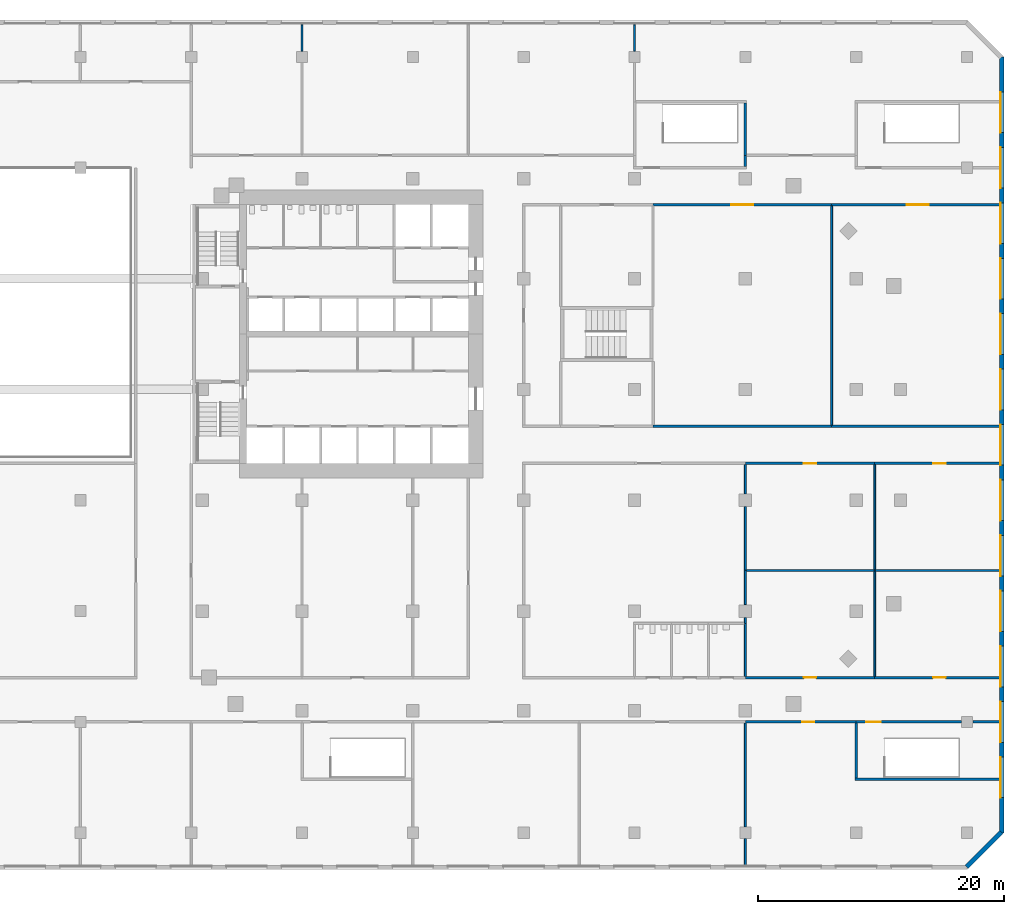
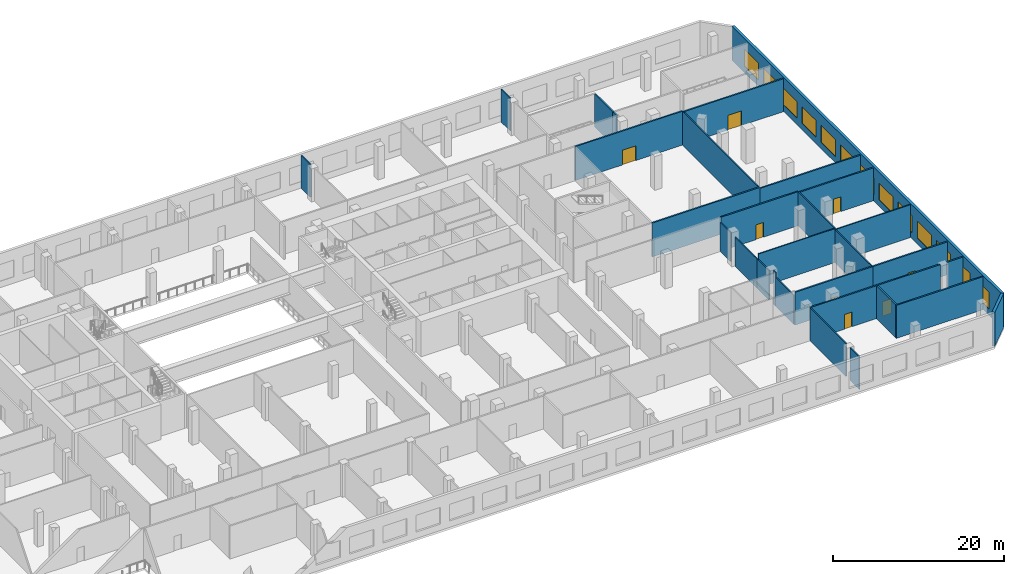
# One storey, part 14 of 20: 31 walls, 13 windows, 8 doors, 21 openings.
"""IFC4 building model written with IfcOpenShell, lengths in metres."""

from ifc_helpers import new_model, si_unit, direction, frame, frame_2d, origin, place, context, subcontext, project, spatial, rectangle, extrude, material, layer, layer_set, type_object, element, fill, save


model = new_model("IFC4")

# Units and contexts
model_context = context("Model", 3, precision=1e-05, world=origin(), true_north=direction((0.0, 1.0)))
body_context = subcontext(model_context, "Body", "Model", "MODEL_VIEW")
ifc_project = project(units=[si_unit("LENGTHUNIT", "METRE"), si_unit("AREAUNIT", "SQUARE_METRE"), si_unit("VOLUMEUNIT", "CUBIC_METRE"), si_unit("PLANEANGLEUNIT", "RADIAN"), si_unit("MASSUNIT", "GRAM", prefix="KILO")], contexts=[model_context])

# Site, building, storey
site_placement = place(None, origin())
site = spatial("IfcSite", under=ifc_project, at=site_placement, CompositionType="ELEMENT")
building_placement = place(site_placement, origin())
building = spatial("IfcBuilding", under=site, at=building_placement, Name="Cinnabar Reach Civic Tower", CompositionType="ELEMENT")
storey_placement = place(building_placement, frame((0.0, 0.0, 21.0)))
storey = spatial("IfcBuildingStorey", under=building, at=storey_placement, Name="L04", CompositionType="ELEMENT", Elevation=21.0)

# Wall
ifc_material_1 = material(Name="Facing brick with insulated backing", Category="masonry")
ifc_layer_1 = layer(ifc_material_1, 0.36)
ifc_layer_set_1 = layer_set([ifc_layer_1], Name="Brick corner wall")
wall_type_1 = type_object("IfcWallType", Name="Brick corner wall", PredefinedType="STANDARD", material=ifc_layer_set_1)
wall_1_placement = place(storey_placement, frame((62.9611, -11.7843, 0.0), z_axis=(0.0, 0.0, 1.0), x_axis=(0.707106781187, 0.707106781187, 0.0)))
element("IfcWall", 1, at=wall_1_placement, inside=storey, type_object=wall_type_1, Name="Brick corner wall", PredefinedType="STANDARD", context=body_context, shape_type="SweptSolid", body=[
    extrude(rectangle(XDim=3.9926, YDim=0.36, at=frame_2d((1.9963, 0.0))), origin(), (0.0, 0.0, 1.0), 4.85),
])

# Wall, openings, windows
ifc_layer_2 = layer(ifc_material_1, 0.36)
ifc_layer_set_2 = layer_set([ifc_layer_2], Name="Brick pier and spandrel wall")
wall_type_2 = type_object("IfcWallType", Name="Brick pier and spandrel wall", PredefinedType="STANDARD", material=ifc_layer_set_2)
wall_2_placement = place(storey_placement, frame((65.82, -9.0, 0.0), z_axis=(0.0, 0.0, 1.0), x_axis=(0.0, 1.0, 0.0)))
wall_2 = element("IfcWall", 2, at=wall_2_placement, inside=storey, type_object=wall_type_2, Name="Brick facade wall", PredefinedType="STANDARD", context=body_context, shape_type="SweptSolid", body=[
    extrude(rectangle(XDim=63.0, YDim=0.36, at=frame_2d((31.5, 0.0))), origin(), (0.0, 0.0, 1.0), 4.85),
])
opening_1_placement = place(wall_2_placement, frame((2.85, 0.0, 0.9)))
opening_1 = element("IfcOpeningElement", 3, at=opening_1_placement, cuts=wall_2, Name="Opening W3125", PredefinedType="OPENING", context=body_context, shape_type="SweptSolid", body=[
    extrude(rectangle(XDim=3.3, YDim=2.4, at=frame_2d((1.65, 1.2))), frame((0.0, 0.19, 0.0), z_axis=(0.0, -1.0, 0.0), x_axis=(1.0, 0.0, 0.0)), (0.0, 0.0, 1.0), 0.38),
])
opening_2_placement = place(wall_2_placement, frame((7.35, 0.0, 0.9)))
opening_2 = element("IfcOpeningElement", 4, at=opening_2_placement, cuts=wall_2, Name="Opening W3126", PredefinedType="OPENING", context=body_context, shape_type="SweptSolid", body=[
    extrude(rectangle(XDim=3.3, YDim=2.4, at=frame_2d((1.65, 1.2))), frame((0.0, 0.19, 0.0), z_axis=(0.0, -1.0, 0.0), x_axis=(1.0, 0.0, 0.0)), (0.0, 0.0, 1.0), 0.38),
])
opening_3_placement = place(wall_2_placement, frame((11.85, 0.0, 0.9)))
opening_3 = element("IfcOpeningElement", 5, at=opening_3_placement, cuts=wall_2, Name="Opening W3127", PredefinedType="OPENING", context=body_context, shape_type="SweptSolid", body=[
    extrude(rectangle(XDim=3.3, YDim=2.4, at=frame_2d((1.65, 1.2))), frame((0.0, 0.19, 0.0), z_axis=(0.0, -1.0, 0.0), x_axis=(1.0, 0.0, 0.0)), (0.0, 0.0, 1.0), 0.38),
])
opening_4_placement = place(wall_2_placement, frame((16.35, 0.0, 0.9)))
opening_4 = element("IfcOpeningElement", 6, at=opening_4_placement, cuts=wall_2, Name="Opening W3128", PredefinedType="OPENING", context=body_context, shape_type="SweptSolid", body=[
    extrude(rectangle(XDim=3.3, YDim=2.4, at=frame_2d((1.65, 1.2))), frame((0.0, 0.19, 0.0), z_axis=(0.0, -1.0, 0.0), x_axis=(1.0, 0.0, 0.0)), (0.0, 0.0, 1.0), 0.38),
])
opening_5_placement = place(wall_2_placement, frame((20.85, 0.0, 0.9)))
opening_5 = element("IfcOpeningElement", 7, at=opening_5_placement, cuts=wall_2, Name="Opening W3129", PredefinedType="OPENING", context=body_context, shape_type="SweptSolid", body=[
    extrude(rectangle(XDim=3.3, YDim=2.4, at=frame_2d((1.65, 1.2))), frame((0.0, 0.19, 0.0), z_axis=(0.0, -1.0, 0.0), x_axis=(1.0, 0.0, 0.0)), (0.0, 0.0, 1.0), 0.38),
])
opening_6_placement = place(wall_2_placement, frame((25.35, 0.0, 0.9)))
opening_6 = element("IfcOpeningElement", 8, at=opening_6_placement, cuts=wall_2, Name="Opening W3130", PredefinedType="OPENING", context=body_context, shape_type="SweptSolid", body=[
    extrude(rectangle(XDim=3.3, YDim=2.4, at=frame_2d((1.65, 1.2))), frame((0.0, 0.19, 0.0), z_axis=(0.0, -1.0, 0.0), x_axis=(1.0, 0.0, 0.0)), (0.0, 0.0, 1.0), 0.38),
])
opening_7_placement = place(wall_2_placement, frame((29.85, 0.0, 0.9)))
opening_7 = element("IfcOpeningElement", 9, at=opening_7_placement, cuts=wall_2, Name="Opening W3131", PredefinedType="OPENING", context=body_context, shape_type="SweptSolid", body=[
    extrude(rectangle(XDim=3.3, YDim=2.4, at=frame_2d((1.65, 1.2))), frame((0.0, 0.19, 0.0), z_axis=(0.0, -1.0, 0.0), x_axis=(1.0, 0.0, 0.0)), (0.0, 0.0, 1.0), 0.38),
])
opening_8_placement = place(wall_2_placement, frame((34.35, 0.0, 0.9)))
opening_8 = element("IfcOpeningElement", 10, at=opening_8_placement, cuts=wall_2, Name="Opening W3132", PredefinedType="OPENING", context=body_context, shape_type="SweptSolid", body=[
    extrude(rectangle(XDim=3.3, YDim=2.4, at=frame_2d((1.65, 1.2))), frame((0.0, 0.19, 0.0), z_axis=(0.0, -1.0, 0.0), x_axis=(1.0, 0.0, 0.0)), (0.0, 0.0, 1.0), 0.38),
])
opening_9_placement = place(wall_2_placement, frame((38.85, 0.0, 0.9)))
opening_9 = element("IfcOpeningElement", 11, at=opening_9_placement, cuts=wall_2, Name="Opening W3133", PredefinedType="OPENING", context=body_context, shape_type="SweptSolid", body=[
    extrude(rectangle(XDim=3.3, YDim=2.4, at=frame_2d((1.65, 1.2))), frame((0.0, 0.19, 0.0), z_axis=(0.0, -1.0, 0.0), x_axis=(1.0, 0.0, 0.0)), (0.0, 0.0, 1.0), 0.38),
])
opening_10_placement = place(wall_2_placement, frame((43.35, 0.0, 0.9)))
opening_10 = element("IfcOpeningElement", 12, at=opening_10_placement, cuts=wall_2, Name="Opening W3134", PredefinedType="OPENING", context=body_context, shape_type="SweptSolid", body=[
    extrude(rectangle(XDim=3.3, YDim=2.4, at=frame_2d((1.65, 1.2))), frame((0.0, 0.19, 0.0), z_axis=(0.0, -1.0, 0.0), x_axis=(1.0, 0.0, 0.0)), (0.0, 0.0, 1.0), 0.38),
])
opening_11_placement = place(wall_2_placement, frame((47.85, 0.0, 0.9)))
opening_11 = element("IfcOpeningElement", 13, at=opening_11_placement, cuts=wall_2, Name="Opening W3135", PredefinedType="OPENING", context=body_context, shape_type="SweptSolid", body=[
    extrude(rectangle(XDim=3.3, YDim=2.4, at=frame_2d((1.65, 1.2))), frame((0.0, 0.19, 0.0), z_axis=(0.0, -1.0, 0.0), x_axis=(1.0, 0.0, 0.0)), (0.0, 0.0, 1.0), 0.38),
])
opening_12_placement = place(wall_2_placement, frame((52.35, 0.0, 0.9)))
opening_12 = element("IfcOpeningElement", 14, at=opening_12_placement, cuts=wall_2, Name="Opening W3136", PredefinedType="OPENING", context=body_context, shape_type="SweptSolid", body=[
    extrude(rectangle(XDim=3.3, YDim=2.4, at=frame_2d((1.65, 1.2))), frame((0.0, 0.19, 0.0), z_axis=(0.0, -1.0, 0.0), x_axis=(1.0, 0.0, 0.0)), (0.0, 0.0, 1.0), 0.38),
])
opening_13_placement = place(wall_2_placement, frame((56.85, 0.0, 0.9)))
opening_13 = element("IfcOpeningElement", 15, at=opening_13_placement, cuts=wall_2, Name="Opening W3137", PredefinedType="OPENING", context=body_context, shape_type="SweptSolid", body=[
    extrude(rectangle(XDim=3.3, YDim=2.4, at=frame_2d((1.65, 1.2))), frame((0.0, 0.19, 0.0), z_axis=(0.0, -1.0, 0.0), x_axis=(1.0, 0.0, 0.0)), (0.0, 0.0, 1.0), 0.38),
])
ifc_material_2 = material(Name="Clear double glazing in aluminium frame", Category="aluminium")
window_type = type_object("IfcWindowType", Name="Podium window P", PartitioningType="SINGLE_PANEL", PredefinedType="WINDOW", material=ifc_material_2)
window_1_placement = place(opening_1_placement, origin())
window_1 = element("IfcWindow", 16, at=window_1_placement, inside=storey, type_object=window_type, Name="Window east face", OverallHeight=2.4, OverallWidth=3.3, PartitioningType="SINGLE_PANEL", PredefinedType="WINDOW", context=body_context, shape_type="SweptSolid", body=[
    extrude(rectangle(XDim=3.3, YDim=2.4, at=frame_2d((1.65, 1.2))), frame((0.0, 0.13, 0.0), z_axis=(0.0, -1.0, 0.0), x_axis=(1.0, 0.0, 0.0)), (0.0, 0.0, 1.0), 0.06),
])
fill(opening_1, window_1)
window_2_placement = place(opening_2_placement, origin())
window_2 = element("IfcWindow", 17, at=window_2_placement, inside=storey, type_object=window_type, Name="Window east face", OverallHeight=2.4, OverallWidth=3.3, PartitioningType="SINGLE_PANEL", PredefinedType="WINDOW", context=body_context, shape_type="SweptSolid", body=[
    extrude(rectangle(XDim=3.3, YDim=2.4, at=frame_2d((1.65, 1.2))), frame((0.0, 0.13, 0.0), z_axis=(0.0, -1.0, 0.0), x_axis=(1.0, 0.0, 0.0)), (0.0, 0.0, 1.0), 0.06),
])
fill(opening_2, window_2)
window_3_placement = place(opening_3_placement, origin())
window_3 = element("IfcWindow", 18, at=window_3_placement, inside=storey, type_object=window_type, Name="Window east face", OverallHeight=2.4, OverallWidth=3.3, PartitioningType="SINGLE_PANEL", PredefinedType="WINDOW", context=body_context, shape_type="SweptSolid", body=[
    extrude(rectangle(XDim=3.3, YDim=2.4, at=frame_2d((1.65, 1.2))), frame((0.0, 0.13, 0.0), z_axis=(0.0, -1.0, 0.0), x_axis=(1.0, 0.0, 0.0)), (0.0, 0.0, 1.0), 0.06),
])
fill(opening_3, window_3)
window_4_placement = place(opening_4_placement, origin())
window_4 = element("IfcWindow", 19, at=window_4_placement, inside=storey, type_object=window_type, Name="Window east face", OverallHeight=2.4, OverallWidth=3.3, PartitioningType="SINGLE_PANEL", PredefinedType="WINDOW", context=body_context, shape_type="SweptSolid", body=[
    extrude(rectangle(XDim=3.3, YDim=2.4, at=frame_2d((1.65, 1.2))), frame((0.0, 0.13, 0.0), z_axis=(0.0, -1.0, 0.0), x_axis=(1.0, 0.0, 0.0)), (0.0, 0.0, 1.0), 0.06),
])
fill(opening_4, window_4)
window_5_placement = place(opening_5_placement, origin())
window_5 = element("IfcWindow", 20, at=window_5_placement, inside=storey, type_object=window_type, Name="Window east face", OverallHeight=2.4, OverallWidth=3.3, PartitioningType="SINGLE_PANEL", PredefinedType="WINDOW", context=body_context, shape_type="SweptSolid", body=[
    extrude(rectangle(XDim=3.3, YDim=2.4, at=frame_2d((1.65, 1.2))), frame((0.0, 0.13, 0.0), z_axis=(0.0, -1.0, 0.0), x_axis=(1.0, 0.0, 0.0)), (0.0, 0.0, 1.0), 0.06),
])
fill(opening_5, window_5)
window_6_placement = place(opening_6_placement, origin())
window_6 = element("IfcWindow", 21, at=window_6_placement, inside=storey, type_object=window_type, Name="Window east face", OverallHeight=2.4, OverallWidth=3.3, PartitioningType="SINGLE_PANEL", PredefinedType="WINDOW", context=body_context, shape_type="SweptSolid", body=[
    extrude(rectangle(XDim=3.3, YDim=2.4, at=frame_2d((1.65, 1.2))), frame((0.0, 0.13, 0.0), z_axis=(0.0, -1.0, 0.0), x_axis=(1.0, 0.0, 0.0)), (0.0, 0.0, 1.0), 0.06),
])
fill(opening_6, window_6)
window_7_placement = place(opening_7_placement, origin())
window_7 = element("IfcWindow", 22, at=window_7_placement, inside=storey, type_object=window_type, Name="Window east face", OverallHeight=2.4, OverallWidth=3.3, PartitioningType="SINGLE_PANEL", PredefinedType="WINDOW", context=body_context, shape_type="SweptSolid", body=[
    extrude(rectangle(XDim=3.3, YDim=2.4, at=frame_2d((1.65, 1.2))), frame((0.0, 0.13, 0.0), z_axis=(0.0, -1.0, 0.0), x_axis=(1.0, 0.0, 0.0)), (0.0, 0.0, 1.0), 0.06),
])
fill(opening_7, window_7)
window_8_placement = place(opening_8_placement, origin())
window_8 = element("IfcWindow", 23, at=window_8_placement, inside=storey, type_object=window_type, Name="Window east face", OverallHeight=2.4, OverallWidth=3.3, PartitioningType="SINGLE_PANEL", PredefinedType="WINDOW", context=body_context, shape_type="SweptSolid", body=[
    extrude(rectangle(XDim=3.3, YDim=2.4, at=frame_2d((1.65, 1.2))), frame((0.0, 0.13, 0.0), z_axis=(0.0, -1.0, 0.0), x_axis=(1.0, 0.0, 0.0)), (0.0, 0.0, 1.0), 0.06),
])
fill(opening_8, window_8)
window_9_placement = place(opening_9_placement, origin())
window_9 = element("IfcWindow", 24, at=window_9_placement, inside=storey, type_object=window_type, Name="Window east face", OverallHeight=2.4, OverallWidth=3.3, PartitioningType="SINGLE_PANEL", PredefinedType="WINDOW", context=body_context, shape_type="SweptSolid", body=[
    extrude(rectangle(XDim=3.3, YDim=2.4, at=frame_2d((1.65, 1.2))), frame((0.0, 0.13, 0.0), z_axis=(0.0, -1.0, 0.0), x_axis=(1.0, 0.0, 0.0)), (0.0, 0.0, 1.0), 0.06),
])
fill(opening_9, window_9)
window_10_placement = place(opening_10_placement, origin())
window_10 = element("IfcWindow", 25, at=window_10_placement, inside=storey, type_object=window_type, Name="Window east face", OverallHeight=2.4, OverallWidth=3.3, PartitioningType="SINGLE_PANEL", PredefinedType="WINDOW", context=body_context, shape_type="SweptSolid", body=[
    extrude(rectangle(XDim=3.3, YDim=2.4, at=frame_2d((1.65, 1.2))), frame((0.0, 0.13, 0.0), z_axis=(0.0, -1.0, 0.0), x_axis=(1.0, 0.0, 0.0)), (0.0, 0.0, 1.0), 0.06),
])
fill(opening_10, window_10)
window_11_placement = place(opening_11_placement, origin())
window_11 = element("IfcWindow", 26, at=window_11_placement, inside=storey, type_object=window_type, Name="Window east face", OverallHeight=2.4, OverallWidth=3.3, PartitioningType="SINGLE_PANEL", PredefinedType="WINDOW", context=body_context, shape_type="SweptSolid", body=[
    extrude(rectangle(XDim=3.3, YDim=2.4, at=frame_2d((1.65, 1.2))), frame((0.0, 0.13, 0.0), z_axis=(0.0, -1.0, 0.0), x_axis=(1.0, 0.0, 0.0)), (0.0, 0.0, 1.0), 0.06),
])
fill(opening_11, window_11)
window_12_placement = place(opening_12_placement, origin())
window_12 = element("IfcWindow", 27, at=window_12_placement, inside=storey, type_object=window_type, Name="Window east face", OverallHeight=2.4, OverallWidth=3.3, PartitioningType="SINGLE_PANEL", PredefinedType="WINDOW", context=body_context, shape_type="SweptSolid", body=[
    extrude(rectangle(XDim=3.3, YDim=2.4, at=frame_2d((1.65, 1.2))), frame((0.0, 0.13, 0.0), z_axis=(0.0, -1.0, 0.0), x_axis=(1.0, 0.0, 0.0)), (0.0, 0.0, 1.0), 0.06),
])
fill(opening_12, window_12)
window_13_placement = place(opening_13_placement, origin())
window_13 = element("IfcWindow", 28, at=window_13_placement, inside=storey, type_object=window_type, Name="Window east face", OverallHeight=2.4, OverallWidth=3.3, PartitioningType="SINGLE_PANEL", PredefinedType="WINDOW", context=body_context, shape_type="SweptSolid", body=[
    extrude(rectangle(XDim=3.3, YDim=2.4, at=frame_2d((1.65, 1.2))), frame((0.0, 0.13, 0.0), z_axis=(0.0, -1.0, 0.0), x_axis=(1.0, 0.0, 0.0)), (0.0, 0.0, 1.0), 0.06),
])
fill(opening_13, window_13)

# Wall, opening, door
ifc_material_3 = material(Name="Concrete blockwork", Category="masonry")
ifc_layer_3 = layer(ifc_material_3, 0.2)
ifc_layer_set_3 = layer_set([ifc_layer_3], Name="Podium masonry corridor wall 200 EI 120")
wall_type_3 = type_object("IfcWallType", Name="Podium masonry corridor wall 200 EI 120", PredefinedType="PARTITIONING", material=ifc_layer_set_3)
wall_3_placement = place(storey_placement, frame((45.0, 0.0, 0.0), z_axis=(0.0, 0.0, 1.0), x_axis=(1.0, 0.0, 0.0)))
wall_3 = element("IfcWall", 29, at=wall_3_placement, inside=storey, type_object=wall_type_3, Name="Wall L04 50", PredefinedType="PARTITIONING", context=body_context, shape_type="SweptSolid", body=[
    extrude(rectangle(XDim=9.0, YDim=0.2, at=frame_2d((4.5, 0.0))), origin(), (0.0, 0.0, 1.0), 4.7),
])
opening_14_placement = place(wall_3_placement, frame((4.6, 0.0, 0.0)))
opening_14 = element("IfcOpeningElement", 30, at=opening_14_placement, cuts=wall_3, Name="Opening D1234", PredefinedType="OPENING", context=body_context, shape_type="SweptSolid", body=[
    extrude(rectangle(XDim=1.0, YDim=2.1, at=frame_2d((0.5, 1.05))), frame((0.0, 0.11, 0.0), z_axis=(0.0, -1.0, 0.0), x_axis=(1.0, 0.0, 0.0)), (0.0, 0.0, 1.0), 0.22),
])
ifc_material_4 = material(Name="Painted steel door leaf", Category="steel")
door_type_1 = type_object("IfcDoorType", Name="Podium single door 1000x2100", OperationType="SINGLE_SWING_LEFT", PredefinedType="DOOR", material=ifc_material_4)
door_1_placement = place(opening_14_placement, origin())
door_1 = element("IfcDoor", 31, at=door_1_placement, inside=storey, type_object=door_type_1, Name="Door D1234", OperationType="SINGLE_SWING_LEFT", OverallHeight=2.1, OverallWidth=1.0, PredefinedType="DOOR", context=body_context, shape_type="SweptSolid", body=[
    extrude(rectangle(XDim=1.0, YDim=2.1, at=frame_2d((0.5, 1.05))), frame((0.0, 0.025, 0.0), z_axis=(0.0, -1.0, 0.0), x_axis=(1.0, 0.0, 0.0)), (0.0, 0.0, 1.0), 0.05),
])
fill(opening_14, door_1)

wall_4_placement = place(storey_placement, frame((45.0, 3.6, 0.0), z_axis=(0.0, 0.0, 1.0), x_axis=(1.0, 0.0, 0.0)))
wall_4 = element("IfcWall", 32, at=wall_4_placement, inside=storey, type_object=wall_type_3, Name="Wall L04 59", PredefinedType="PARTITIONING", context=body_context, shape_type="SweptSolid", body=[
    extrude(rectangle(XDim=10.5, YDim=0.2, at=frame_2d((5.25, 0.0))), origin(), (0.0, 0.0, 1.0), 4.7),
])
opening_15_placement = place(wall_4_placement, frame((4.75, 0.0, 0.0)))
opening_15 = element("IfcOpeningElement", 33, at=opening_15_placement, cuts=wall_4, Name="Opening D1262", PredefinedType="OPENING", context=body_context, shape_type="SweptSolid", body=[
    extrude(rectangle(XDim=1.0, YDim=2.1, at=frame_2d((0.5, 1.05))), frame((0.0, 0.11, 0.0), z_axis=(0.0, -1.0, 0.0), x_axis=(1.0, 0.0, 0.0)), (0.0, 0.0, 1.0), 0.22),
])
door_2_placement = place(opening_15_placement, origin())
door_2 = element("IfcDoor", 34, at=door_2_placement, inside=storey, type_object=door_type_1, Name="Door D1262", OperationType="SINGLE_SWING_LEFT", OverallHeight=2.1, OverallWidth=1.0, PredefinedType="DOOR", context=body_context, shape_type="SweptSolid", body=[
    extrude(rectangle(XDim=1.0, YDim=2.1, at=frame_2d((0.5, 1.05))), frame((0.0, 0.025, 0.0), z_axis=(0.0, -1.0, 0.0), x_axis=(1.0, 0.0, 0.0)), (0.0, 0.0, 1.0), 0.05),
])
fill(opening_15, door_2)

wall_5_placement = place(storey_placement, frame((55.5, 3.6, 0.0), z_axis=(0.0, 0.0, 1.0), x_axis=(1.0, 0.0, 0.0)))
wall_5 = element("IfcWall", 35, at=wall_5_placement, inside=storey, type_object=wall_type_3, Name="Wall L04 60", PredefinedType="PARTITIONING", context=body_context, shape_type="SweptSolid", body=[
    extrude(rectangle(XDim=10.1, YDim=0.2, at=frame_2d((5.05, 0.0))), origin(), (0.0, 0.0, 1.0), 4.7),
])
opening_16_placement = place(wall_5_placement, frame((4.75, 0.0, 0.0)))
opening_16 = element("IfcOpeningElement", 36, at=opening_16_placement, cuts=wall_5, Name="Opening D1263", PredefinedType="OPENING", context=body_context, shape_type="SweptSolid", body=[
    extrude(rectangle(XDim=1.0, YDim=2.1, at=frame_2d((0.5, 1.05))), frame((0.0, 0.11, 0.0), z_axis=(0.0, -1.0, 0.0), x_axis=(1.0, 0.0, 0.0)), (0.0, 0.0, 1.0), 0.22),
])
door_3_placement = place(opening_16_placement, origin())
door_3 = element("IfcDoor", 37, at=door_3_placement, inside=storey, type_object=door_type_1, Name="Door D1263", OperationType="SINGLE_SWING_RIGHT", OverallHeight=2.1, OverallWidth=1.0, PredefinedType="DOOR", context=body_context, shape_type="SweptSolid", body=[
    extrude(rectangle(XDim=1.0, YDim=2.1, at=frame_2d((0.5, 1.05))), frame((0.0, 0.025, 0.0), z_axis=(0.0, -1.0, 0.0), x_axis=(1.0, 0.0, 0.0)), (0.0, 0.0, 1.0), 0.05),
])
fill(opening_16, door_3)

wall_6_placement = place(storey_placement, frame((37.5, 42.0, 0.0), z_axis=(0.0, 0.0, 1.0), x_axis=(1.0, 0.0, 0.0)))
wall_6 = element("IfcWall", 38, at=wall_6_placement, inside=storey, type_object=wall_type_3, Name="Wall L04 101", PredefinedType="PARTITIONING", context=body_context, shape_type="SweptSolid", body=[
    extrude(rectangle(XDim=14.5, YDim=0.2, at=frame_2d((7.25, 0.0))), origin(), (0.0, 0.0, 1.0), 4.85),
])
opening_17_placement = place(wall_6_placement, frame((6.35, 0.0, 0.0)))
opening_17 = element("IfcOpeningElement", 39, at=opening_17_placement, cuts=wall_6, Name="Opening D1273", PredefinedType="OPENING", context=body_context, shape_type="SweptSolid", body=[
    extrude(rectangle(XDim=1.8, YDim=2.1, at=frame_2d((0.9, 1.05))), frame((0.0, 0.11, 0.0), z_axis=(0.0, -1.0, 0.0), x_axis=(1.0, 0.0, 0.0)), (0.0, 0.0, 1.0), 0.22),
])
door_type_2 = type_object("IfcDoorType", Name="Podium double door 1800x2100", OperationType="DOUBLE_DOOR_SINGLE_SWING", PredefinedType="DOOR", material=ifc_material_4)
door_4_placement = place(opening_17_placement, frame((1.8, 0.0, 0.0), z_axis=(0.0, 0.0, 1.0), x_axis=(-1.0, 0.0, 0.0)))
door_4 = element("IfcDoor", 40, at=door_4_placement, inside=storey, type_object=door_type_2, Name="Door D1273", OperationType="DOUBLE_DOOR_SINGLE_SWING", OverallHeight=2.1, OverallWidth=1.8, PredefinedType="DOOR", context=body_context, shape_type="SweptSolid", body=[
    extrude(rectangle(XDim=1.8, YDim=2.1, at=frame_2d((0.9, 1.05))), frame((0.0, 0.025, 0.0), z_axis=(0.0, -1.0, 0.0), x_axis=(1.0, 0.0, 0.0)), (0.0, 0.0, 1.0), 0.05),
])
fill(opening_17, door_4)

wall_7_placement = place(storey_placement, frame((52.0, 42.0, 0.0), z_axis=(0.0, 0.0, 1.0), x_axis=(1.0, 0.0, 0.0)))
wall_7 = element("IfcWall", 41, at=wall_7_placement, inside=storey, type_object=wall_type_3, Name="Wall L04 102", PredefinedType="PARTITIONING", context=body_context, shape_type="SweptSolid", body=[
    extrude(rectangle(XDim=13.6, YDim=0.2, at=frame_2d((6.8, 0.0))), origin(), (0.0, 0.0, 1.0), 4.7),
])
opening_18_placement = place(wall_7_placement, frame((6.1, 0.0, 0.0)))
opening_18 = element("IfcOpeningElement", 42, at=opening_18_placement, cuts=wall_7, Name="Opening D1274", PredefinedType="OPENING", context=body_context, shape_type="SweptSolid", body=[
    extrude(rectangle(XDim=1.8, YDim=2.1, at=frame_2d((0.9, 1.05))), frame((0.0, 0.11, 0.0), z_axis=(0.0, -1.0, 0.0), x_axis=(1.0, 0.0, 0.0)), (0.0, 0.0, 1.0), 0.22),
])
door_5_placement = place(opening_18_placement, frame((1.8, 0.0, 0.0), z_axis=(0.0, 0.0, 1.0), x_axis=(-1.0, 0.0, 0.0)))
door_5 = element("IfcDoor", 43, at=door_5_placement, inside=storey, type_object=door_type_2, Name="Door D1274", OperationType="DOUBLE_DOOR_SINGLE_SWING", OverallHeight=2.1, OverallWidth=1.8, PredefinedType="DOOR", context=body_context, shape_type="SweptSolid", body=[
    extrude(rectangle(XDim=1.8, YDim=2.1, at=frame_2d((0.9, 1.05))), frame((0.0, 0.025, 0.0), z_axis=(0.0, -1.0, 0.0), x_axis=(1.0, 0.0, 0.0)), (0.0, 0.0, 1.0), 0.05),
])
fill(opening_18, door_5)

wall_8_placement = place(storey_placement, frame((45.0, 21.0, 0.0), z_axis=(0.0, 0.0, 1.0), x_axis=(1.0, 0.0, 0.0)))
wall_8 = element("IfcWall", 44, at=wall_8_placement, inside=storey, type_object=wall_type_3, Name="Wall L04 114", PredefinedType="PARTITIONING", context=body_context, shape_type="SweptSolid", body=[
    extrude(rectangle(XDim=10.5, YDim=0.2, at=frame_2d((5.25, 0.0))), origin(), (0.0, 0.0, 1.0), 4.85),
])
opening_19_placement = place(wall_8_placement, frame((4.75, 0.0, 0.0)))
opening_19 = element("IfcOpeningElement", 45, at=opening_19_placement, cuts=wall_8, Name="Opening D1264", PredefinedType="OPENING", context=body_context, shape_type="SweptSolid", body=[
    extrude(rectangle(XDim=1.0, YDim=2.1, at=frame_2d((0.5, 1.05))), frame((0.0, 0.11, 0.0), z_axis=(0.0, -1.0, 0.0), x_axis=(1.0, 0.0, 0.0)), (0.0, 0.0, 1.0), 0.22),
])
door_6_placement = place(opening_19_placement, frame((1.0, 0.0, 0.0), z_axis=(0.0, 0.0, 1.0), x_axis=(-1.0, 0.0, 0.0)))
door_6 = element("IfcDoor", 46, at=door_6_placement, inside=storey, type_object=door_type_1, Name="Door D1264", OperationType="SINGLE_SWING_LEFT", OverallHeight=2.1, OverallWidth=1.0, PredefinedType="DOOR", context=body_context, shape_type="SweptSolid", body=[
    extrude(rectangle(XDim=1.0, YDim=2.1, at=frame_2d((0.5, 1.05))), frame((0.0, 0.025, 0.0), z_axis=(0.0, -1.0, 0.0), x_axis=(1.0, 0.0, 0.0)), (0.0, 0.0, 1.0), 0.05),
])
fill(opening_19, door_6)

wall_9_placement = place(storey_placement, frame((55.5, 21.0, 0.0), z_axis=(0.0, 0.0, 1.0), x_axis=(1.0, 0.0, 0.0)))
wall_9 = element("IfcWall", 47, at=wall_9_placement, inside=storey, type_object=wall_type_3, Name="Wall L04 115", PredefinedType="PARTITIONING", context=body_context, shape_type="SweptSolid", body=[
    extrude(rectangle(XDim=10.1, YDim=0.2, at=frame_2d((5.05, 0.0))), origin(), (0.0, 0.0, 1.0), 4.7),
])
opening_20_placement = place(wall_9_placement, frame((4.75, 0.0, 0.0)))
opening_20 = element("IfcOpeningElement", 48, at=opening_20_placement, cuts=wall_9, Name="Opening D1265", PredefinedType="OPENING", context=body_context, shape_type="SweptSolid", body=[
    extrude(rectangle(XDim=1.0, YDim=2.1, at=frame_2d((0.5, 1.05))), frame((0.0, 0.11, 0.0), z_axis=(0.0, -1.0, 0.0), x_axis=(1.0, 0.0, 0.0)), (0.0, 0.0, 1.0), 0.22),
])
door_7_placement = place(opening_20_placement, frame((1.0, 0.0, 0.0), z_axis=(0.0, 0.0, 1.0), x_axis=(-1.0, 0.0, 0.0)))
door_7 = element("IfcDoor", 49, at=door_7_placement, inside=storey, type_object=door_type_1, Name="Door D1265", OperationType="SINGLE_SWING_LEFT", OverallHeight=2.1, OverallWidth=1.0, PredefinedType="DOOR", context=body_context, shape_type="SweptSolid", body=[
    extrude(rectangle(XDim=1.0, YDim=2.1, at=frame_2d((0.5, 1.05))), frame((0.0, 0.025, 0.0), z_axis=(0.0, -1.0, 0.0), x_axis=(1.0, 0.0, 0.0)), (0.0, 0.0, 1.0), 0.05),
])
fill(opening_20, door_7)

# Walls
wall_10_placement = place(storey_placement, frame((37.5, 24.0, 0.0), z_axis=(0.0, 0.0, 1.0), x_axis=(1.0, 0.0, 0.0)))
element("IfcWall", 50, at=wall_10_placement, inside=storey, type_object=wall_type_3, Name="Wall L04 116", PredefinedType="PARTITIONING", context=body_context, shape_type="SweptSolid", body=[
    extrude(rectangle(XDim=14.5, YDim=0.2, at=frame_2d((7.25, 0.0))), origin(), (0.0, 0.0, 1.0), 4.85),
])
wall_11_placement = place(storey_placement, frame((52.0, 24.0, 0.0), z_axis=(0.0, 0.0, 1.0), x_axis=(1.0, 0.0, 0.0)))
element("IfcWall", 51, at=wall_11_placement, inside=storey, type_object=wall_type_3, Name="Wall L04 117", PredefinedType="PARTITIONING", context=body_context, shape_type="SweptSolid", body=[
    extrude(rectangle(XDim=13.6, YDim=0.2, at=frame_2d((6.8, 0.0))), origin(), (0.0, 0.0, 1.0), 4.7),
])
ifc_material_5 = material(Name="Gypsum board on steel studs", Category="steel")
ifc_layer_4 = layer(ifc_material_5, 0.15)
ifc_layer_set_4 = layer_set([ifc_layer_4], Name="Podium partition wall 150 EI 90")
wall_type_4 = type_object("IfcWallType", Name="Podium partition wall 150 EI 90", PredefinedType="PARTITIONING", material=ifc_layer_set_4)
wall_12_placement = place(storey_placement, frame((45.0, -11.6, 0.0), z_axis=(0.0, 0.0, 1.0), x_axis=(0.0, 1.0, 0.0)))
element("IfcWall", 52, at=wall_12_placement, inside=storey, type_object=wall_type_4, Name="Wall L04 159", PredefinedType="PARTITIONING", context=body_context, shape_type="SweptSolid", body=[
    extrude(rectangle(XDim=2.13, YDim=0.15, at=frame_2d((1.065, 0.0))), origin(), (0.0, 0.0, 1.0), 4.7),
])
wall_13_placement = place(storey_placement, frame((45.0, -8.53, 0.0), z_axis=(0.0, 0.0, 1.0), x_axis=(0.0, 1.0, 0.0)))
element("IfcWall", 53, at=wall_13_placement, inside=storey, type_object=wall_type_4, Name="Wall L04 160", PredefinedType="PARTITIONING", context=body_context, shape_type="SweptSolid", body=[
    extrude(rectangle(XDim=8.43, YDim=0.15, at=frame_2d((4.215, 0.0))), origin(), (0.0, 0.0, 1.0), 4.7),
])
wall_14_placement = place(storey_placement, frame((45.0, 8.0, 0.0), z_axis=(0.0, 0.0, 1.0), x_axis=(0.0, 1.0, 0.0)))
element("IfcWall", 54, at=wall_14_placement, inside=storey, type_object=wall_type_4, Name="Wall L04 175", PredefinedType="PARTITIONING", context=body_context, shape_type="SweptSolid", body=[
    extrude(rectangle(XDim=0.48, YDim=0.15, at=frame_2d((0.24, 0.0))), origin(), (0.0, 0.0, 1.0), 4.85),
])
wall_15_placement = place(storey_placement, frame((45.0, 9.52, 0.0), z_axis=(0.0, 0.0, 1.0), x_axis=(0.0, 1.0, 0.0)))
element("IfcWall", 55, at=wall_15_placement, inside=storey, type_object=wall_type_4, Name="Wall L04 176", PredefinedType="PARTITIONING", context=body_context, shape_type="SweptSolid", body=[
    extrude(rectangle(XDim=2.78, YDim=0.15, at=frame_2d((1.39, 0.0))), origin(), (0.0, 0.0, 1.0), 4.158),
])
wall_16_placement = place(storey_placement, frame((45.0, 12.3, 0.0), z_axis=(0.0, 0.0, 1.0), x_axis=(0.0, 1.0, 0.0)))
element("IfcWall", 56, at=wall_16_placement, inside=storey, type_object=wall_type_4, Name="Wall L04 177", PredefinedType="PARTITIONING", context=body_context, shape_type="SweptSolid", body=[
    extrude(rectangle(XDim=5.18, YDim=0.15, at=frame_2d((2.59, 0.0))), origin(), (0.0, 0.0, 1.0), 4.158),
])
wall_17_placement = place(storey_placement, frame((45.0, 18.52, 0.0), z_axis=(0.0, 0.0, 1.0), x_axis=(0.0, 1.0, 0.0)))
element("IfcWall", 57, at=wall_17_placement, inside=storey, type_object=wall_type_4, Name="Wall L04 178", PredefinedType="PARTITIONING", context=body_context, shape_type="SweptSolid", body=[
    extrude(rectangle(XDim=2.38, YDim=0.15, at=frame_2d((1.19, 0.0))), origin(), (0.0, 0.0, 1.0), 4.158),
])
wall_18_placement = place(storey_placement, frame((45.0, 3.7, 0.0), z_axis=(0.0, 0.0, 1.0), x_axis=(0.0, 1.0, 0.0)))
element("IfcWall", 58, at=wall_18_placement, inside=storey, type_object=wall_type_4, Name="Wall L04 181", PredefinedType="PARTITIONING", context=body_context, shape_type="SweptSolid", body=[
    extrude(rectangle(XDim=4.3, YDim=0.15, at=frame_2d((2.15, 0.0))), origin(), (0.0, 0.0, 1.0), 4.158),
])
for number, where, z_axis, x_axis, name in (
    (59, (9.0, 54.47, 0.0), (0.0, 0.0, 1.0), (0.0, 1.0, 0.0), "Wall L04 197"),
    (60, (36.0, 54.47, 0.0), (0.0, 0.0, 1.0), (0.0, 1.0, 0.0), "Wall L04 199"),
):
    element("IfcWall", number, at=place(storey_placement, frame(where, z_axis=z_axis, x_axis=x_axis)), inside=storey, type_object=wall_type_4, Name=name, PredefinedType="PARTITIONING", context=body_context, shape_type="SweptSolid", body=[
        extrude(rectangle(XDim=2.13, YDim=0.15, at=frame_2d((1.065, 0.0))), origin(), (0.0, 0.0, 1.0), 4.7),
    ])
wall_19_placement = place(storey_placement, frame((55.5, 3.7, 0.0), z_axis=(0.0, 0.0, 1.0), x_axis=(0.0, 1.0, 0.0)))
element("IfcWall", 61, at=wall_19_placement, inside=storey, type_object=wall_type_4, Name="Wall L04 209", PredefinedType="PARTITIONING", context=body_context, shape_type="SweptSolid", body=[
    extrude(rectangle(XDim=8.525, YDim=0.15, at=frame_2d((4.2625, 0.0))), origin(), (0.0, 0.0, 1.0), 4.7),
])
wall_20_placement = place(storey_placement, frame((45.075, 12.3, 0.0), z_axis=(0.0, 0.0, 1.0), x_axis=(1.0, 0.0, 0.0)))
element("IfcWall", 62, at=wall_20_placement, inside=storey, type_object=wall_type_4, Name="Wall L04 210", PredefinedType="PARTITIONING", context=body_context, shape_type="SweptSolid", body=[
    extrude(rectangle(XDim=10.425, YDim=0.15, at=frame_2d((5.2125, 0.0))), origin(), (0.0, 0.0, 1.0), 4.85),
])
wall_21_placement = place(storey_placement, frame((55.5, 12.3, 0.0), z_axis=(0.0, 0.0, 1.0), x_axis=(1.0, 0.0, 0.0)))
element("IfcWall", 63, at=wall_21_placement, inside=storey, type_object=wall_type_4, Name="Wall L04 211", PredefinedType="PARTITIONING", context=body_context, shape_type="SweptSolid", body=[
    extrude(rectangle(XDim=10.1, YDim=0.15, at=frame_2d((5.05, 0.0))), origin(), (0.0, 0.0, 1.0), 4.7),
])
wall_22_placement = place(storey_placement, frame((55.5, 12.375, 0.0), z_axis=(0.0, 0.0, 1.0), x_axis=(0.0, 1.0, 0.0)))
element("IfcWall", 64, at=wall_22_placement, inside=storey, type_object=wall_type_4, Name="Wall L04 212", PredefinedType="PARTITIONING", context=body_context, shape_type="SweptSolid", body=[
    extrude(rectangle(XDim=8.525, YDim=0.15, at=frame_2d((4.2625, 0.0))), origin(), (0.0, 0.0, 1.0), 4.85),
])
wall_23_placement = place(storey_placement, frame((52.0, 24.1, 0.0), z_axis=(0.0, 0.0, 1.0), x_axis=(0.0, 1.0, 0.0)))
element("IfcWall", 65, at=wall_23_placement, inside=storey, type_object=wall_type_4, Name="Wall L04 217", PredefinedType="PARTITIONING", context=body_context, shape_type="SweptSolid", body=[
    extrude(rectangle(XDim=17.8, YDim=0.15, at=frame_2d((8.9, 0.0))), origin(), (0.0, 0.0, 1.0), 4.85),
])

# Wall, opening, door
ifc_material_6 = material(Name="Concrete C40", Category="concrete")
ifc_layer_5 = layer(ifc_material_6, 0.2)
ifc_layer_set_5 = layer_set([ifc_layer_5], Name="Podium stair shaft wall 200 EI 120")
wall_type_5 = type_object("IfcWallType", Name="Podium stair shaft wall 200 EI 120", PredefinedType="SOLIDWALL", material=ifc_layer_set_5)
wall_24_placement = place(storey_placement, frame((54.0, 0.0, 0.0), z_axis=(0.0, 0.0, 1.0), x_axis=(1.0, 0.0, 0.0)))
wall_24 = element("IfcWall", 66, at=wall_24_placement, inside=storey, type_object=wall_type_5, Name="Wall L04 13", PredefinedType="SOLIDWALL", context=body_context, shape_type="SweptSolid", body=[
    extrude(rectangle(XDim=8.53, YDim=0.2, at=frame_2d((4.265, 0.0))), origin(), (0.0, 0.0, 1.0), 4.7),
])
opening_21_placement = place(wall_24_placement, frame((0.8, 0.0, 0.0)))
opening_21 = element("IfcOpeningElement", 67, at=opening_21_placement, cuts=wall_24, Name="Opening D1278", PredefinedType="OPENING", context=body_context, shape_type="SweptSolid", body=[
    extrude(rectangle(XDim=1.2, YDim=2.1, at=frame_2d((0.6, 1.05))), frame((0.0, 0.11, 0.0), z_axis=(0.0, -1.0, 0.0), x_axis=(1.0, 0.0, 0.0)), (0.0, 0.0, 1.0), 0.22),
])
door_type_3 = type_object("IfcDoorType", Name="Podium single door 1200x2100", OperationType="SINGLE_SWING_LEFT", PredefinedType="DOOR", material=ifc_material_4)
door_8_placement = place(opening_21_placement, frame((1.2, 0.0, 0.0), z_axis=(0.0, 0.0, 1.0), x_axis=(-1.0, 0.0, 0.0)))
door_8 = element("IfcDoor", 68, at=door_8_placement, inside=storey, type_object=door_type_3, Name="Door D1278", OperationType="SINGLE_SWING_LEFT", OverallHeight=2.1, OverallWidth=1.2, PredefinedType="DOOR", context=body_context, shape_type="SweptSolid", body=[
    extrude(rectangle(XDim=1.2, YDim=2.1, at=frame_2d((0.6, 1.05))), frame((0.0, 0.025, 0.0), z_axis=(0.0, -1.0, 0.0), x_axis=(1.0, 0.0, 0.0)), (0.0, 0.0, 1.0), 0.05),
])
fill(opening_21, door_8)

# Walls
wall_25_placement = place(storey_placement, frame((63.47, 0.0, 0.0), z_axis=(0.0, 0.0, 1.0), x_axis=(1.0, 0.0, 0.0)))
element("IfcWall", 69, at=wall_25_placement, inside=storey, type_object=wall_type_5, Name="Wall L04 14", PredefinedType="SOLIDWALL", context=body_context, shape_type="SweptSolid", body=[
    extrude(rectangle(XDim=2.13, YDim=0.2, at=frame_2d((1.065, 0.0))), origin(), (0.0, 0.0, 1.0), 4.7),
])
wall_26_placement = place(storey_placement, frame((54.0, -4.55, 0.0), z_axis=(0.0, 0.0, 1.0), x_axis=(0.0, 1.0, 0.0)))
element("IfcWall", 70, at=wall_26_placement, inside=storey, type_object=wall_type_5, Name="Wall L04 15", PredefinedType="SOLIDWALL", context=body_context, shape_type="SweptSolid", body=[
    extrude(rectangle(XDim=4.45, YDim=0.2, at=frame_2d((2.225, 0.0))), origin(), (0.0, 0.0, 1.0), 4.7),
])
wall_27_placement = place(storey_placement, frame((53.9, -4.65, 0.0), z_axis=(0.0, 0.0, 1.0), x_axis=(1.0, 0.0, 0.0)))
element("IfcWall", 71, at=wall_27_placement, inside=storey, type_object=wall_type_5, Name="Wall L04 16", PredefinedType="SOLIDWALL", context=body_context, shape_type="SweptSolid", body=[
    extrude(rectangle(XDim=11.7, YDim=0.2, at=frame_2d((5.85, 0.0))), origin(), (0.0, 0.0, 1.0), 4.7),
])
wall_28_placement = place(storey_placement, frame((45.0, 45.1, 0.0), z_axis=(0.0, 0.0, 1.0), x_axis=(0.0, 1.0, 0.0)))
element("IfcWall", 72, at=wall_28_placement, inside=storey, type_object=wall_type_5, Name="Wall L04 22", PredefinedType="SOLIDWALL", context=body_context, shape_type="SweptSolid", body=[
    extrude(rectangle(XDim=0.9, YDim=0.2, at=frame_2d((0.45, 0.0))), origin(), (0.0, 0.0, 1.0), 4.7),
])
wall_29_placement = place(storey_placement, frame((45.0, 46.0, 0.0), z_axis=(0.0, 0.0, 1.0), x_axis=(0.0, 1.0, 0.0)))
element("IfcWall", 73, at=wall_29_placement, inside=storey, type_object=wall_type_5, Name="Wall L04 26", PredefinedType="SOLIDWALL", context=body_context, shape_type="SweptSolid", body=[
    extrude(rectangle(XDim=4.25, YDim=0.2, at=frame_2d((2.125, 0.0))), origin(), (0.0, 0.0, 1.0), 4.7),
])

save(model, "model.ifc")
